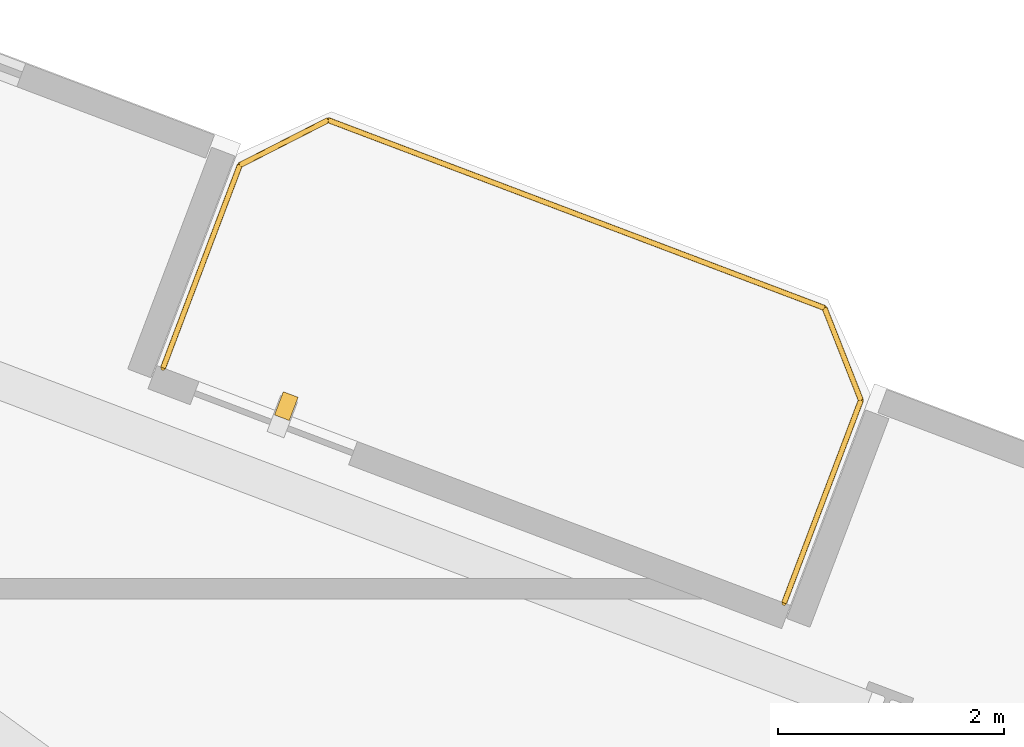
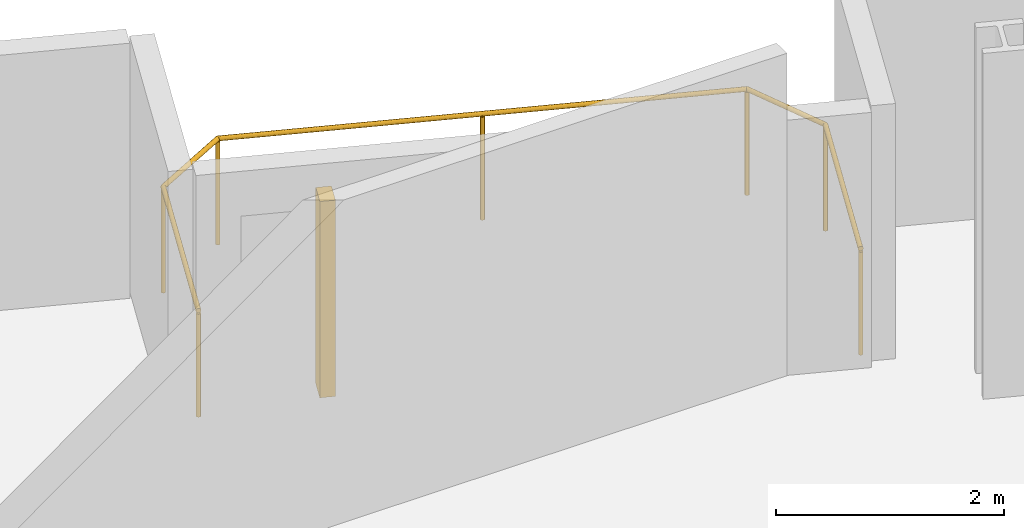
# One storey, part 24 of 24: 1 railing, 1 shading device.
"""IFC4 building model written with IfcOpenShell, lengths in metres."""

from ifc_helpers import new_model, si_unit, direction, frame, origin, origin_2d, place, context, subcontext, project, spatial, rectangle, circle, extrude, source, transform, mapped, material, type_object, element, save


model = new_model("IFC4")

# Units and contexts
model_context = context("Model", 3, precision=1e-05, world=origin(), true_north=direction((0.0, 1.0)))
body_context = subcontext(model_context, "Body", "Model", "MODEL_VIEW")
ifc_project = project(units=[si_unit("LENGTHUNIT", "METRE"), si_unit("AREAUNIT", "SQUARE_METRE"), si_unit("VOLUMEUNIT", "CUBIC_METRE"), si_unit("PLANEANGLEUNIT", "RADIAN"), si_unit("MASSUNIT", "GRAM", prefix="KILO")], contexts=[model_context])

# Site, building, storey
site_placement = place(None, origin())
site = spatial("IfcSite", under=ifc_project, at=site_placement, CompositionType="ELEMENT")
building_placement = place(site_placement, origin())
building = spatial("IfcBuilding", under=site, at=building_placement, Name="Varnelok Gate Tower", CompositionType="ELEMENT")
storey_placement = place(building_placement, frame((0.0, 0.0, 87.300048828125)))
storey = spatial("IfcBuildingStorey", under=building, at=storey_placement, Name="L21", CompositionType="ELEMENT", Elevation=87.300048828125)

# Railing
ifc_material_1 = material(Name="Low-E Laminated Double Glazing IGU", Category="glass")
railing_type = type_object("IfcRailingType", Name="RL-BALC-1150", PredefinedType="BALUSTRADE", material=ifc_material_1)
railing_placement = place(storey_placement, frame((57.49462890625, 41.256103515625, 0.0)))
element("IfcRailing", 1, at=railing_placement, inside=storey, type_object=railing_type, Name="L21 North Terrace Balustrade 6", PredefinedType="BALUSTRADE", context=body_context, shape_type="SweptSolid", body=[
    extrude(circle(Radius=0.02392578125, at=origin_2d()), frame((0.0, 0.0, 1.1259765625), z_axis=(0.354006333352, 0.935243025073, 0.0), x_axis=(-0.935243025073, 0.354006333352, 0.0)), (0.0, 0.0, 1.0), 1.919921875),
    extrude(circle(Radius=0.02392578125, at=origin_2d()), frame((0.6796875, 1.795654296875, 1.1259765625), z_axis=(0.89078254773, 0.454429810487, 0.0), x_axis=(-0.454429810487, 0.89078254773, 0.0)), (0.0, 0.0, 1.0), 0.8779296875),
    extrude(circle(Radius=0.02392578125, at=origin_2d()), frame((1.461669921875, 2.194580078125, 1.1259765625), z_axis=(0.935223045203, -0.354059113314, 0.0), x_axis=(0.354059113314, 0.935223045203, 0.0)), (0.0, 0.0, 1.0), 4.699951171875),
    extrude(circle(Radius=0.02392578125, at=origin_2d()), frame((5.857177734375, 0.530517578125, 1.1259765625), z_axis=(0.36659018357, -0.930382522036, 0.0), x_axis=(0.930382522036, 0.36659018357, 0.0)), (0.0, 0.0, 1.0), 0.877685546875),
    extrude(circle(Radius=0.02392578125, at=origin_2d()), frame((6.178955078125, -0.2861328125, 1.1259765625), z_axis=(-0.354117547856, -0.935200920819, 0.0), x_axis=(0.935200920819, -0.354117547856, 0.0)), (0.0, 0.0, 1.0), 1.920166015625),
    extrude(circle(Radius=0.02099609375, at=origin_2d()), origin(), (0.0, 0.0, 1.0), 1.101806640625),
    extrude(circle(Radius=0.02099609375, at=origin_2d()), frame((0.6796875, 1.795654296875, 0.0)), (0.0, 0.0, 1.0), 1.101806640625),
    extrude(circle(Radius=0.02099609375, at=origin_2d()), frame((1.461669921875, 2.194580078125, 0.0)), (0.0, 0.0, 1.0), 1.101806640625),
    extrude(circle(Radius=0.02099609375, at=origin_2d()), frame((3.659423828125, 1.362548828125, 0.0)), (0.0, 0.0, 1.0), 1.101806640625),
    extrude(circle(Radius=0.02099609375, at=origin_2d()), frame((5.857177734375, 0.530517578125, 0.0)), (0.0, 0.0, 1.0), 1.101806640625),
    extrude(circle(Radius=0.02099609375, at=origin_2d()), frame((6.178955078125, -0.2861328125, 0.0)), (0.0, 0.0, 1.0), 1.101806640625),
    extrude(circle(Radius=0.02099609375, at=origin_2d()), frame((5.4990234375, -2.081787109375, 0.0)), (0.0, 0.0, 1.0), 1.101806640625),
])

# Shading device
ifc_material_2 = material(Name="Glazed Architectural Terracotta Ceramic", Category="masonry")
shading_device_type = type_object("IfcShadingDeviceType", Name="SHD-TERRA-FIN", PredefinedType="USERDEFINED", material=ifc_material_2)
shared_shape = source(origin(), body_context, "Body", "SweptSolid", [
    extrude(rectangle(XDim=0.139892578125, YDim=0.219970703125, at=origin_2d()), origin(), (0.0, 0.0, 1.0), 2.10009765625),
])
shading_device_placement = place(storey_placement, frame((58.58544921875, 40.91796875, 0.099853515625), z_axis=(0.0, 0.0, 1.0), x_axis=(0.935221751401, -0.354062530786, 0.0)))
element("IfcShadingDevice", 2, at=shading_device_placement, inside=storey, type_object=shading_device_type, Name="L21 Terracotta Ceramic Baguette Sunscreen 6.1", ObjectType="BAGUETTE", PredefinedType="USERDEFINED", context=body_context, shape_type="MappedRepresentation", body=[
    mapped(shared_shape, transform((0.0, 0.0, 0.0), scale=1.0)),
])

save(model, "model.ifc")
